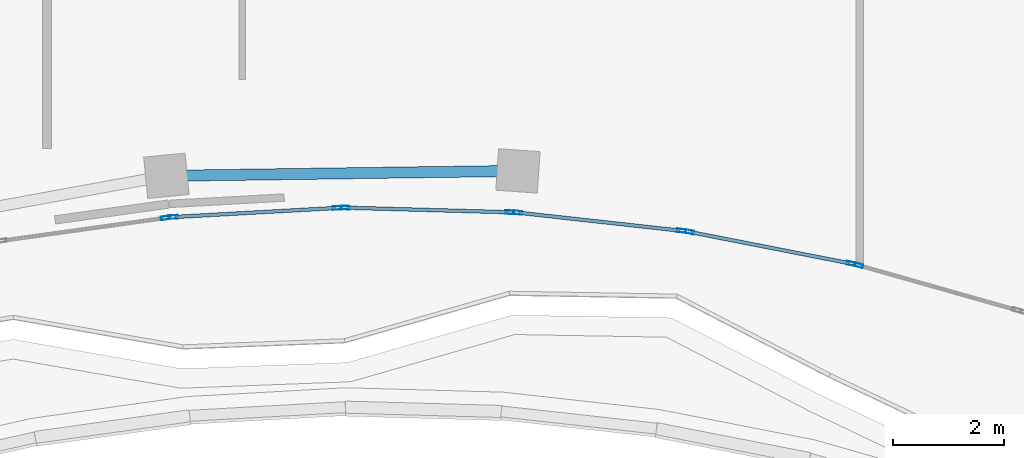
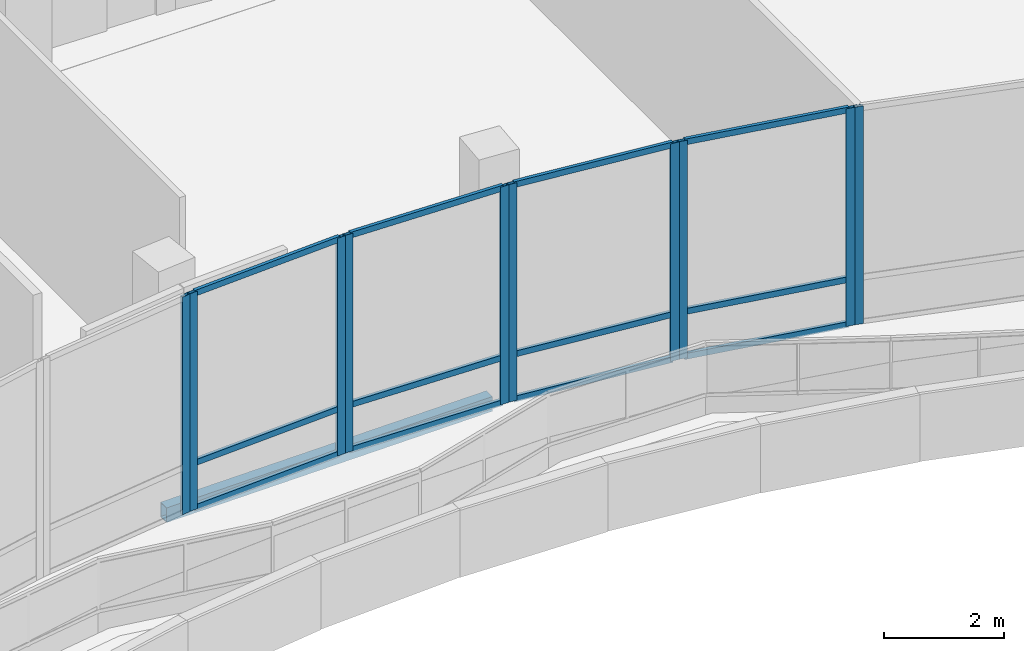
# One storey, part 101 of 168: 22 members, 1 beam, 6 elements without a shape of their own.
"""IFC4 building model written with IfcOpenShell, lengths in metres."""

from ifc_helpers import new_model, si_unit, direction, frame, origin, origin_2d, place, context, subcontext, project, spatial, hollow_rectangle, extrude, material, material_profile, profile_set, type_object, element, aggregate, save


model = new_model("IFC4")

# Units and contexts
model_context = context("Model", 3, precision=1e-05, world=origin(), true_north=direction((0.0, 1.0)))
body_context = subcontext(model_context, "Body", "Model", "MODEL_VIEW")
ifc_project = project(units=[si_unit("LENGTHUNIT", "METRE"), si_unit("AREAUNIT", "SQUARE_METRE"), si_unit("VOLUMEUNIT", "CUBIC_METRE"), si_unit("PLANEANGLEUNIT", "RADIAN"), si_unit("MASSUNIT", "GRAM", prefix="KILO")], contexts=[model_context])

# Site, building, storey
site_placement = place(None, origin())
site = spatial("IfcSite", under=ifc_project, at=site_placement, CompositionType="ELEMENT")
building_placement = place(site_placement, origin())
building = spatial("IfcBuilding", under=site, at=building_placement, Name="Selatvlak General Hospital", CompositionType="ELEMENT")
storey_placement = place(building_placement, frame((0.0, 0.0, 5.39990234375)))
storey = spatial("IfcBuildingStorey", under=building, at=storey_placement, Name="L01", CompositionType="ELEMENT", Elevation=5.39990234375)

# Beam
ifc_material_1 = material(Name="Steel S355", Category="steel")
ifc_material_profile_1 = material_profile(ifc_material_1, hollow_rectangle(XDim=0.199951171875, YDim=0.300048828125, WallThickness=0.011962890625, at=origin_2d()), Name="RHS 300x200x12")
ifc_profile_set_1 = profile_set([ifc_material_profile_1], Name="Steel S355")
beam_type = type_object("IfcBeamType", Name="BM-SP3", PredefinedType="SPANDREL", material=ifc_profile_set_1)
beam_placement = place(storey_placement, frame((136.2919921875, 54.570068359375, -0.469970703125), z_axis=(0.999901810608, 0.014013177494, 0.0), x_axis=(-0.014013177494, 0.999901810608, 0.0)))
element("IfcBeam", 1, at=beam_placement, inside=storey, type_object=beam_type, Name="Beam BMR-L01-0764", PredefinedType="SPANDREL", context=body_context, shape_type="SweptSolid", body=[
    extrude(hollow_rectangle(XDim=0.199951171875, YDim=0.300048828125, WallThickness=0.011962890625, at=origin_2d()), origin(), (0.0, 0.0, 1.0), 6.341796875),
])

# Curtain wall, member
ifc_material_2 = material(Name="Solar-control Low-E double glazing", Category="glass")
curtain_wall_type_1 = type_object("IfcCurtainWallType", Name="CW-CW-01", PredefinedType="USERDEFINED", material=ifc_material_2)
curtain_wall_1_placement = place(storey_placement, origin())
curtain_wall_1 = element("IfcCurtainWall", 2, at=curtain_wall_1_placement, inside=storey, type_object=curtain_wall_type_1, Name="Glazed facade curtain wall CW-L01-0149", ObjectType="UNITISED CURTAIN WALL", PredefinedType="USERDEFINED")
ifc_material_3 = material(Name="Dark anodised aluminium mullion", Category="aluminium")
ifc_material_profile_2 = material_profile(ifc_material_3, hollow_rectangle(XDim=0.06494140625, YDim=0.159912109375, WallThickness=0.00390625, at=origin_2d()), Name="AL-MUL 65x160x4")
ifc_profile_set_2 = profile_set([ifc_material_profile_2], Name="Dark anodised aluminium mullion")
member_type_1 = type_object("IfcMemberType", Name="CWM-01", PredefinedType="MULLION", material=ifc_profile_set_2)
member_1_placement = place(storey_placement, frame((148.7783203125, 52.9560546875, 0.0), z_axis=(0.0, 0.0, 1.0), x_axis=(-0.272846888748, -0.962057469853, 0.0)))
member_1 = element("IfcMember", 3, at=member_1_placement, type_object=member_type_1, Name="CW-01 mullion 2", PredefinedType="MULLION", context=body_context, shape_type="SweptSolid", body=[
    extrude(hollow_rectangle(XDim=0.06494140625, YDim=0.159912109375, WallThickness=0.00390625, at=origin_2d()), origin(), (0.0, 0.0, 1.0), 4.445068359375),
])
aggregate(curtain_wall_1, [member_1])

# Curtain wall, members
curtain_wall_type_2 = type_object("IfcCurtainWallType", Name="CW-CW-02", PredefinedType="USERDEFINED", material=ifc_material_2)
curtain_wall_2_placement = place(storey_placement, origin())
curtain_wall_2 = element("IfcCurtainWall", 4, at=curtain_wall_2_placement, inside=storey, type_object=curtain_wall_type_2, Name="Glazed facade curtain wall CW-L01-0150", ObjectType="UNITISED CURTAIN WALL", PredefinedType="USERDEFINED")
member_2_placement = place(storey_placement, frame((148.63720703125, 52.98828125, 0.0), z_axis=(0.0, 0.0, 1.0), x_axis=(-0.192246345827, -0.981346698428, 0.0)))
member_2 = element("IfcMember", 5, at=member_2_placement, type_object=member_type_1, Name="CW-02 mullion 1", PredefinedType="MULLION", context=body_context, shape_type="SweptSolid", body=[
    extrude(hollow_rectangle(XDim=0.06494140625, YDim=0.159912109375, WallThickness=0.00390625, at=origin_2d()), origin(), (0.0, 0.0, 1.0), 4.445068359375),
])
member_3_placement = place(storey_placement, frame((145.724853515625, 53.558837890625, 0.0), z_axis=(0.0, 0.0, 1.0), x_axis=(-0.192246345827, -0.981346698428, 0.0)))
member_3 = element("IfcMember", 6, at=member_3_placement, type_object=member_type_1, Name="CW-02 mullion 2", PredefinedType="MULLION", context=body_context, shape_type="SweptSolid", body=[
    extrude(hollow_rectangle(XDim=0.06494140625, YDim=0.159912109375, WallThickness=0.00390625, at=origin_2d()), origin(), (0.0, 0.0, 1.0), 4.445068359375),
])

curtain_wall_3_placement = place(storey_placement, origin())
curtain_wall_3 = element("IfcCurtainWall", 7, at=curtain_wall_3_placement, inside=storey, type_object=curtain_wall_type_1, Name="Glazed facade curtain wall CW-L01-0151", ObjectType="UNITISED CURTAIN WALL", PredefinedType="USERDEFINED")
member_4_placement = place(storey_placement, frame((145.580810546875, 53.57958984375, 0.0), z_axis=(0.0, 0.0, 1.0), x_axis=(-0.109780202548, -0.993955887919, 0.0)))
member_4 = element("IfcMember", 8, at=member_4_placement, type_object=member_type_1, Name="CW-01 mullion 1", PredefinedType="MULLION", context=body_context, shape_type="SweptSolid", body=[
    extrude(hollow_rectangle(XDim=0.06494140625, YDim=0.159912109375, WallThickness=0.00390625, at=origin_2d()), origin(), (0.0, 0.0, 1.0), 4.445068359375),
])
member_5_placement = place(storey_placement, frame((142.63037109375, 53.905517578125, 0.0), z_axis=(0.0, 0.0, 1.0), x_axis=(-0.109780202548, -0.993955887919, 0.0)))
member_5 = element("IfcMember", 9, at=member_5_placement, type_object=member_type_1, Name="CW-01 mullion 2", PredefinedType="MULLION", context=body_context, shape_type="SweptSolid", body=[
    extrude(hollow_rectangle(XDim=0.06494140625, YDim=0.159912109375, WallThickness=0.00390625, at=origin_2d()), origin(), (0.0, 0.0, 1.0), 4.445068359375),
])

curtain_wall_4_placement = place(storey_placement, origin())
curtain_wall_4 = element("IfcCurtainWall", 10, at=curtain_wall_4_placement, inside=storey, type_object=curtain_wall_type_2, Name="Glazed facade curtain wall CW-L01-0152", ObjectType="UNITISED CURTAIN WALL", PredefinedType="USERDEFINED")
member_6_placement = place(storey_placement, frame((142.485595703125, 53.912841796875, 0.0), z_axis=(0.0, 0.0, 1.0), x_axis=(-0.027693859483, -0.999616451519, 0.0)))
member_6 = element("IfcMember", 11, at=member_6_placement, type_object=member_type_1, Name="CW-02 mullion 1", PredefinedType="MULLION", context=body_context, shape_type="SweptSolid", body=[
    extrude(hollow_rectangle(XDim=0.06494140625, YDim=0.159912109375, WallThickness=0.00390625, at=origin_2d()), origin(), (0.0, 0.0, 1.0), 4.445068359375),
])
member_7_placement = place(storey_placement, frame((139.5185546875, 53.9951171875, 0.0), z_axis=(0.0, 0.0, 1.0), x_axis=(-0.027693859483, -0.999616451519, 0.0)))
member_7 = element("IfcMember", 12, at=member_7_placement, type_object=member_type_1, Name="CW-02 mullion 2", PredefinedType="MULLION", context=body_context, shape_type="SweptSolid", body=[
    extrude(hollow_rectangle(XDim=0.06494140625, YDim=0.159912109375, WallThickness=0.00390625, at=origin_2d()), origin(), (0.0, 0.0, 1.0), 4.445068359375),
])

curtain_wall_5_placement = place(storey_placement, origin())
curtain_wall_5 = element("IfcCurtainWall", 13, at=curtain_wall_5_placement, inside=storey, type_object=curtain_wall_type_1, Name="Glazed facade curtain wall CW-L01-0153", ObjectType="UNITISED CURTAIN WALL", PredefinedType="USERDEFINED")
member_8_placement = place(storey_placement, frame((139.37353515625, 53.990234375, 0.0), z_axis=(0.0, 0.0, 1.0), x_axis=(0.055159032792, -0.998477581672, 0.0)))
member_8 = element("IfcMember", 14, at=member_8_placement, type_object=member_type_1, Name="CW-01 mullion 1", PredefinedType="MULLION", context=body_context, shape_type="SweptSolid", body=[
    extrude(hollow_rectangle(XDim=0.06494140625, YDim=0.159912109375, WallThickness=0.00390625, at=origin_2d()), origin(), (0.0, 0.0, 1.0), 4.445068359375),
])
member_9_placement = place(storey_placement, frame((136.41552734375, 53.826904296875, 0.0), z_axis=(0.0, 0.0, 1.0), x_axis=(0.055159032792, -0.998477581672, 0.0)))
member_9 = element("IfcMember", 15, at=member_9_placement, type_object=member_type_1, Name="CW-01 mullion 2", PredefinedType="MULLION", context=body_context, shape_type="SweptSolid", body=[
    extrude(hollow_rectangle(XDim=0.06494140625, YDim=0.159912109375, WallThickness=0.00390625, at=origin_2d()), origin(), (0.0, 0.0, 1.0), 4.445068359375),
])

# Curtain wall, member
curtain_wall_6_placement = place(storey_placement, origin())
curtain_wall_6 = element("IfcCurtainWall", 16, at=curtain_wall_6_placement, inside=storey, type_object=curtain_wall_type_2, Name="Glazed facade curtain wall CW-L01-0154", ObjectType="UNITISED CURTAIN WALL", PredefinedType="USERDEFINED")
member_10_placement = place(storey_placement, frame((136.270751953125, 53.810546875, 0.0), z_axis=(0.0, 0.0, 1.0), x_axis=(0.138421573138, -0.990373398315, 0.0)))
member_10 = element("IfcMember", 17, at=member_10_placement, type_object=member_type_1, Name="CW-02 mullion 1", PredefinedType="MULLION", context=body_context, shape_type="SweptSolid", body=[
    extrude(hollow_rectangle(XDim=0.06494140625, YDim=0.159912109375, WallThickness=0.00390625, at=origin_2d()), origin(), (0.0, 0.0, 1.0), 4.445068359375),
])
aggregate(curtain_wall_6, [member_10])

# Member
ifc_material_profile_3 = material_profile(ifc_material_3, hollow_rectangle(XDim=0.06494140625, YDim=0.1201171875, WallThickness=0.00390625, at=origin_2d()), Name="AL-TRN 65x120x4")
ifc_profile_set_3 = profile_set([ifc_material_profile_3], Name="Dark anodised aluminium mullion")
member_type_2 = type_object("IfcMemberType", Name="CWT-01", PredefinedType="USERDEFINED", material=ifc_profile_set_3)
member_11_placement = place(storey_placement, frame((148.605224609375, 52.994384765625, 0.03271484375), z_axis=(-0.981339899237, 0.19228104994, 0.0), x_axis=(-0.19228104994, -0.981339899237, 0.0)))
member_11 = element("IfcMember", 18, at=member_11_placement, type_object=member_type_2, Name="CW-02 transom 1.1", ObjectType="TRANSOM", PredefinedType="USERDEFINED", context=body_context, shape_type="SweptSolid", body=[
    extrude(hollow_rectangle(XDim=0.06494140625, YDim=0.1201171875, WallThickness=0.00390625, at=origin_2d()), origin(), (0.0, 0.0, 1.0), 2.902587890625),
])

member_12_placement = place(storey_placement, frame((148.605224609375, 52.994384765625, 0.9501953125), z_axis=(-0.981339899237, 0.19228104994, 0.0), x_axis=(-0.19228104994, -0.981339899237, 0.0)))
member_12 = element("IfcMember", 19, at=member_12_placement, type_object=member_type_2, Name="CW-02 transom 1.2", ObjectType="TRANSOM", PredefinedType="USERDEFINED", context=body_context, shape_type="SweptSolid", body=[
    extrude(hollow_rectangle(XDim=0.06494140625, YDim=0.1201171875, WallThickness=0.00390625, at=origin_2d()), origin(), (0.0, 0.0, 1.0), 2.902587890625),
])

member_13_placement = place(storey_placement, frame((148.605224609375, 52.994384765625, 4.41259765625), z_axis=(-0.981339899237, 0.19228104994, 0.0), x_axis=(-0.19228104994, -0.981339899237, 0.0)))
member_13 = element("IfcMember", 20, at=member_13_placement, type_object=member_type_2, Name="CW-02 transom 1.3", ObjectType="TRANSOM", PredefinedType="USERDEFINED", context=body_context, shape_type="SweptSolid", body=[
    extrude(hollow_rectangle(XDim=0.06494140625, YDim=0.1201171875, WallThickness=0.00390625, at=origin_2d()), origin(), (0.0, 0.0, 1.0), 2.902587890625),
])

aggregate(curtain_wall_2, [member_2, member_3, member_11, member_12, member_13])

member_14_placement = place(storey_placement, frame((145.54833984375, 53.583251953125, 0.03271484375), z_axis=(-0.993960406488, 0.109739283457, 0.0), x_axis=(-0.109739283457, -0.993960406488, 0.0)))
member_14 = element("IfcMember", 21, at=member_14_placement, type_object=member_type_2, Name="CW-01 transom 1.1", ObjectType="TRANSOM", PredefinedType="USERDEFINED", context=body_context, shape_type="SweptSolid", body=[
    extrude(hollow_rectangle(XDim=0.06494140625, YDim=0.1201171875, WallThickness=0.00390625, at=origin_2d()), origin(), (0.0, 0.0, 1.0), 2.9033203125),
])

member_15_placement = place(storey_placement, frame((145.54833984375, 53.583251953125, 0.9501953125), z_axis=(-0.993960406488, 0.109739283457, 0.0), x_axis=(-0.109739283457, -0.993960406488, 0.0)))
member_15 = element("IfcMember", 22, at=member_15_placement, type_object=member_type_2, Name="CW-01 transom 1.2", ObjectType="TRANSOM", PredefinedType="USERDEFINED", context=body_context, shape_type="SweptSolid", body=[
    extrude(hollow_rectangle(XDim=0.06494140625, YDim=0.1201171875, WallThickness=0.00390625, at=origin_2d()), origin(), (0.0, 0.0, 1.0), 2.9033203125),
])

member_16_placement = place(storey_placement, frame((145.54833984375, 53.583251953125, 4.41259765625), z_axis=(-0.993960406488, 0.109739283457, 0.0), x_axis=(-0.109739283457, -0.993960406488, 0.0)))
member_16 = element("IfcMember", 23, at=member_16_placement, type_object=member_type_2, Name="CW-01 transom 1.3", ObjectType="TRANSOM", PredefinedType="USERDEFINED", context=body_context, shape_type="SweptSolid", body=[
    extrude(hollow_rectangle(XDim=0.06494140625, YDim=0.1201171875, WallThickness=0.00390625, at=origin_2d()), origin(), (0.0, 0.0, 1.0), 2.9033203125),
])

aggregate(curtain_wall_3, [member_4, member_5, member_14, member_15, member_16])

member_17_placement = place(storey_placement, frame((142.453125, 53.913818359375, 0.03271484375), z_axis=(-0.999617203596, 0.027666699755, 0.0), x_axis=(-0.027666699755, -0.999617203596, 0.0)))
member_17 = element("IfcMember", 24, at=member_17_placement, type_object=member_type_2, Name="CW-02 transom 1.1", ObjectType="TRANSOM", PredefinedType="USERDEFINED", context=body_context, shape_type="SweptSolid", body=[
    extrude(hollow_rectangle(XDim=0.06494140625, YDim=0.1201171875, WallThickness=0.00390625, at=origin_2d()), origin(), (0.0, 0.0, 1.0), 2.9033203125),
])

member_18_placement = place(storey_placement, frame((142.453125, 53.913818359375, 0.9501953125), z_axis=(-0.999617203596, 0.027666699755, 0.0), x_axis=(-0.027666699755, -0.999617203596, 0.0)))
member_18 = element("IfcMember", 25, at=member_18_placement, type_object=member_type_2, Name="CW-02 transom 1.2", ObjectType="TRANSOM", PredefinedType="USERDEFINED", context=body_context, shape_type="SweptSolid", body=[
    extrude(hollow_rectangle(XDim=0.06494140625, YDim=0.1201171875, WallThickness=0.00390625, at=origin_2d()), origin(), (0.0, 0.0, 1.0), 2.9033203125),
])

member_19_placement = place(storey_placement, frame((142.453125, 53.913818359375, 4.41259765625), z_axis=(-0.999617203596, 0.027666699755, 0.0), x_axis=(-0.027666699755, -0.999617203596, 0.0)))
member_19 = element("IfcMember", 26, at=member_19_placement, type_object=member_type_2, Name="CW-02 transom 1.3", ObjectType="TRANSOM", PredefinedType="USERDEFINED", context=body_context, shape_type="SweptSolid", body=[
    extrude(hollow_rectangle(XDim=0.06494140625, YDim=0.1201171875, WallThickness=0.00390625, at=origin_2d()), origin(), (0.0, 0.0, 1.0), 2.9033203125),
])

aggregate(curtain_wall_4, [member_6, member_7, member_17, member_18, member_19])

member_20_placement = place(storey_placement, frame((139.341064453125, 53.988525390625, 0.03271484375), z_axis=(-0.998475869557, -0.055190016419, 0.0), x_axis=(0.055190016419, -0.998475869557, 0.0)))
member_20 = element("IfcMember", 27, at=member_20_placement, type_object=member_type_2, Name="CW-01 transom 1.1", ObjectType="TRANSOM", PredefinedType="USERDEFINED", context=body_context, shape_type="SweptSolid", body=[
    extrude(hollow_rectangle(XDim=0.06494140625, YDim=0.1201171875, WallThickness=0.00390625, at=origin_2d()), origin(), (0.0, 0.0, 1.0), 2.8974609375),
])

member_21_placement = place(storey_placement, frame((139.341064453125, 53.988525390625, 0.9501953125), z_axis=(-0.998475869557, -0.055190016419, 0.0), x_axis=(0.055190016419, -0.998475869557, 0.0)))
member_21 = element("IfcMember", 28, at=member_21_placement, type_object=member_type_2, Name="CW-01 transom 1.2", ObjectType="TRANSOM", PredefinedType="USERDEFINED", context=body_context, shape_type="SweptSolid", body=[
    extrude(hollow_rectangle(XDim=0.06494140625, YDim=0.1201171875, WallThickness=0.00390625, at=origin_2d()), origin(), (0.0, 0.0, 1.0), 2.8974609375),
])

member_22_placement = place(storey_placement, frame((139.341064453125, 53.988525390625, 4.41259765625), z_axis=(-0.998475869557, -0.055190016419, 0.0), x_axis=(0.055190016419, -0.998475869557, 0.0)))
member_22 = element("IfcMember", 29, at=member_22_placement, type_object=member_type_2, Name="CW-01 transom 1.3", ObjectType="TRANSOM", PredefinedType="USERDEFINED", context=body_context, shape_type="SweptSolid", body=[
    extrude(hollow_rectangle(XDim=0.06494140625, YDim=0.1201171875, WallThickness=0.00390625, at=origin_2d()), origin(), (0.0, 0.0, 1.0), 2.8974609375),
])

aggregate(curtain_wall_5, [member_8, member_9, member_20, member_21, member_22])

save(model, "model.ifc")
